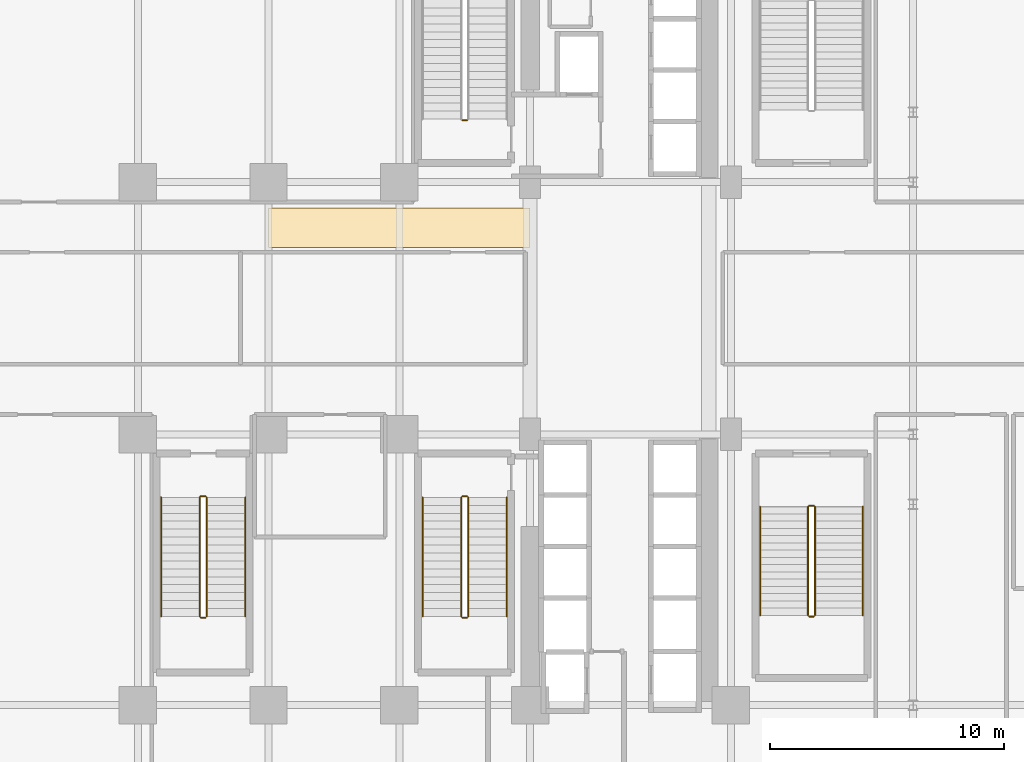
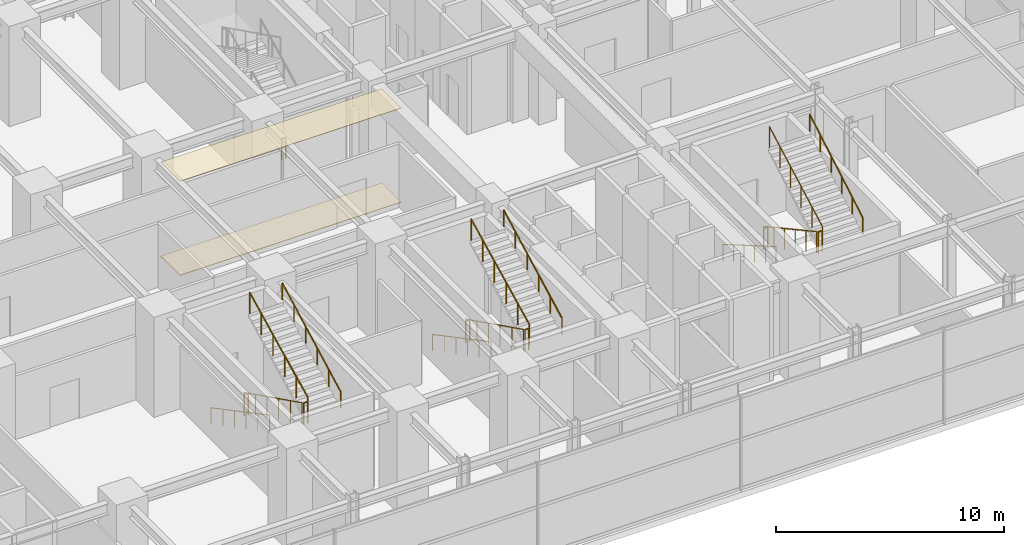
# One storey, part 31 of 32: 19 railings, 2 coverings.
"""IFC4 building model written with IfcOpenShell, lengths in metres."""

from ifc_helpers import new_model, si_unit, direction, frame, origin, origin_2d, place, context, subcontext, project, spatial, polyline, circle, outline, extrude, material, layer, layer_set, type_object, element, save


model = new_model("IFC4")

# Units and contexts
model_context = context("Model", 3, precision=1e-05, world=origin(), true_north=direction((0.0, 1.0)))
body_context = subcontext(model_context, "Body", "Model", "MODEL_VIEW")
ifc_project = project(units=[si_unit("LENGTHUNIT", "METRE"), si_unit("AREAUNIT", "SQUARE_METRE"), si_unit("VOLUMEUNIT", "CUBIC_METRE"), si_unit("PLANEANGLEUNIT", "RADIAN"), si_unit("MASSUNIT", "GRAM", prefix="KILO")], contexts=[model_context])

# Site, building, storey
site_placement = place(None, origin())
site = spatial("IfcSite", under=ifc_project, at=site_placement, CompositionType="ELEMENT")
building_placement = place(site_placement, origin())
building = spatial("IfcBuilding", under=site, at=building_placement, Name="Nahalor Promenade Grand Hotel", CompositionType="ELEMENT")
storey_placement = place(building_placement, frame((0.0, 0.0, 10.800048828125)))
storey = spatial("IfcBuildingStorey", under=building, at=storey_placement, Name="L02", CompositionType="ELEMENT", Elevation=10.800048828125)

# Coverings
ifc_material_1 = material(Name="Acoustic Mineral Gypsum", Category="gypsum")
ifc_layer_1 = layer(ifc_material_1, 0.02490234375)
ifc_layer_set_1 = layer_set([ifc_layer_1], Name="Acoustic Mineral Gypsum")
covering_type_1 = type_object("IfcCoveringType", Name="Acoustic Suspended Ceiling Tile", PredefinedType="CEILING", material=ifc_layer_set_1)
covering_1_placement = place(storey_placement, frame((0.0, 0.0, 5.034912109375)))
element("IfcCovering", 1, at=covering_1_placement, inside=storey, type_object=covering_type_1, Name="CV-CEIL-L02", PredefinedType="CEILING", context=body_context, shape_type="SweptSolid", body=[
    extrude(outline(polyline([(-2.800048828125, 2.60009765625), (8.39990234375, 2.60009765625), (8.39990234375, 4.300048828125), (-2.800048828125, 4.300048828125), (-2.800048828125, 2.60009765625)])), origin(), (0.0, 0.0, 1.0), 0.025146484375),
])
ifc_material_2 = material(Name="Jerusalem Limestone Flooring", Category="masonry")
ifc_layer_2 = layer(ifc_material_2, 0.030029296875)
ifc_layer_set_2 = layer_set([ifc_layer_2], Name="Jerusalem Limestone Flooring")
covering_type_2 = type_object("IfcCoveringType", Name="Honed Limestone Floor Finish", PredefinedType="FLOORING", material=ifc_layer_set_2)
covering_2_placement = place(storey_placement, origin())
element("IfcCovering", 2, at=covering_2_placement, inside=storey, type_object=covering_type_2, Name="CV-FLOR-L02", PredefinedType="FLOORING", context=body_context, shape_type="SweptSolid", body=[
    extrude(outline(polyline([(-2.800048828125, 2.60009765625), (8.39990234375, 2.60009765625), (8.39990234375, 4.300048828125), (-2.800048828125, 4.300048828125), (-2.800048828125, 2.60009765625)])), origin(), (0.0, 0.0, 1.0), 0.030029296875),
])

# Railings
ifc_material_3 = material(Name="Steel S355JR", Category="steel")
railing_type_1 = type_object("IfcRailingType", Name="Steel Stair Guardrail 1150 mm", PredefinedType="GUARDRAIL", material=ifc_material_3)
railing_1_placement = place(storey_placement, frame((5.699951171875, 8.050048828125, 0.0)))
element("IfcRailing", 3, at=railing_1_placement, inside=storey, type_object=railing_type_1, Name="L02 ST1 stair guard 4", PredefinedType="GUARDRAIL", context=body_context, shape_type="SweptSolid", body=[
    extrude(circle(Radius=0.024048, at=origin_2d()), frame((0.0, 0.0, 1.1259765625), z_axis=(-1.0, 0.0, 0.0), x_axis=(0.0, -1.0, 0.0)), (0.0, 0.0, 1.0), 0.199951171875),
    extrude(circle(Radius=0.020996, at=origin_2d()), origin(), (0.0, 0.0, 1.0), 1.099853515625),
    extrude(circle(Radius=0.020996, at=origin_2d()), frame((-0.199951171875, 0.0, 0.0)), (0.0, 0.0, 1.0), 1.099853515625),
])
railing_2_placement = place(storey_placement, frame((5.449951171875, -8.10009765625, 0.168701171875)))
element("IfcRailing", 4, at=railing_2_placement, inside=storey, type_object=railing_type_1, Name="L02 ST2 stair guard 1", PredefinedType="GUARDRAIL", context=body_context, shape_type="SweptSolid", body=[
    extrude(circle(Radius=0.024048, at=origin_2d()), frame((0.0, 0.0, 1.1259765625), z_axis=(0.0, -0.895735491292, 0.444587370086), x_axis=(1.0, 0.0, 0.0)), (0.0, 0.0, 1.0), 5.693603515625),
    extrude(circle(Radius=0.020996, at=origin_2d()), origin(), (0.0, 0.0, 1.0), 1.099853515625),
    extrude(circle(Radius=0.020996, at=origin_2d()), frame((0.0, -1.02001953125, 0.50634765625)), (0.0, 0.0, 1.0), 1.099853515625),
    extrude(circle(Radius=0.020996, at=origin_2d()), frame((0.0, -2.0400390625, 1.012451171875)), (0.0, 0.0, 1.0), 1.099853515625),
    extrude(circle(Radius=0.020996, at=origin_2d()), frame((0.0, -3.059814453125, 1.518798828125)), (0.0, 0.0, 1.0), 1.099853515625),
    extrude(circle(Radius=0.020996, at=origin_2d()), frame((0.0, -4.079833984375, 2.02490234375)), (0.0, 0.0, 1.0), 1.099853515625),
    extrude(circle(Radius=0.020996, at=origin_2d()), frame((0.0, -5.099853515625, 2.53125)), (0.0, 0.0, 1.0), 1.099853515625),
])
railing_3_placement = place(storey_placement, frame((5.5, -13.25, 2.699951171875)))
element("IfcRailing", 5, at=railing_3_placement, inside=storey, type_object=railing_type_1, Name="L02 ST2 stair guard 2", PredefinedType="GUARDRAIL", context=body_context, shape_type="SweptSolid", body=[
    extrude(circle(Radius=0.024048, at=origin_2d()), frame((0.0, 0.0, 1.1259765625), z_axis=(1.0, 0.0, 0.0), x_axis=(0.0, 1.0, 0.0)), (0.0, 0.0, 1.0), 0.199951171875),
    extrude(circle(Radius=0.020996, at=origin_2d()), origin(), (0.0, 0.0, 1.0), 1.099853515625),
    extrude(circle(Radius=0.020996, at=origin_2d()), frame((0.199951171875, 0.0, 0.0)), (0.0, 0.0, 1.0), 1.099853515625),
])
railing_4_placement = place(storey_placement, frame((5.75, -13.199951171875, 2.86865234375)))
element("IfcRailing", 6, at=railing_4_placement, inside=storey, type_object=railing_type_1, Name="L02 ST2 stair guard 3", PredefinedType="GUARDRAIL", context=body_context, shape_type="SweptSolid", body=[
    extrude(circle(Radius=0.024048, at=origin_2d()), frame((0.0, 0.0, 1.1259765625), z_axis=(0.0, 0.895735491292, 0.444587370086), x_axis=(-1.0, 0.0, 0.0)), (0.0, 0.0, 1.0), 5.693603515625),
    extrude(circle(Radius=0.020996, at=origin_2d()), origin(), (0.0, 0.0, 1.0), 1.099853515625),
    extrude(circle(Radius=0.020996, at=origin_2d()), frame((0.0, 1.02001953125, 0.50634765625)), (0.0, 0.0, 1.0), 1.099853515625),
    extrude(circle(Radius=0.020996, at=origin_2d()), frame((0.0, 2.0400390625, 1.012451171875)), (0.0, 0.0, 1.0), 1.099853515625),
    extrude(circle(Radius=0.020996, at=origin_2d()), frame((0.0, 3.059814453125, 1.518798828125)), (0.0, 0.0, 1.0), 1.099853515625),
    extrude(circle(Radius=0.020996, at=origin_2d()), frame((0.0, 4.079833984375, 2.02490234375)), (0.0, 0.0, 1.0), 1.099853515625),
    extrude(circle(Radius=0.020996, at=origin_2d()), frame((0.0, 5.099853515625, 2.53125)), (0.0, 0.0, 1.0), 1.099853515625),
])
railing_5_placement = place(storey_placement, frame((5.5, -8.050048828125, 0.0)))
element("IfcRailing", 7, at=railing_5_placement, inside=storey, type_object=railing_type_1, Name="L02 ST2 stair guard 4", PredefinedType="GUARDRAIL", context=body_context, shape_type="SweptSolid", body=[
    extrude(circle(Radius=0.024048, at=origin_2d()), frame((0.0, 0.0, 1.1259765625), z_axis=(1.0, 0.0, 0.0), x_axis=(0.0, 1.0, 0.0)), (0.0, 0.0, 1.0), 0.199951171875),
    extrude(circle(Radius=0.020996, at=origin_2d()), origin(), (0.0, 0.0, 1.0), 1.099853515625),
    extrude(circle(Radius=0.020996, at=origin_2d()), frame((0.199951171875, 0.0, 0.0)), (0.0, 0.0, 1.0), 1.099853515625),
])
railing_6_placement = place(storey_placement, frame((-5.75, -8.10009765625, 0.168701171875)))
element("IfcRailing", 8, at=railing_6_placement, inside=storey, type_object=railing_type_1, Name="L02 ST3 stair guard 1", PredefinedType="GUARDRAIL", context=body_context, shape_type="SweptSolid", body=[
    extrude(circle(Radius=0.024048, at=origin_2d()), frame((0.0, 0.0, 1.1259765625), z_axis=(0.0, -0.895735491292, 0.444587370086), x_axis=(1.0, 0.0, 0.0)), (0.0, 0.0, 1.0), 5.693603515625),
    extrude(circle(Radius=0.020996, at=origin_2d()), origin(), (0.0, 0.0, 1.0), 1.099853515625),
    extrude(circle(Radius=0.020996, at=origin_2d()), frame((0.0, -1.02001953125, 0.50634765625)), (0.0, 0.0, 1.0), 1.099853515625),
    extrude(circle(Radius=0.020996, at=origin_2d()), frame((0.0, -2.0400390625, 1.012451171875)), (0.0, 0.0, 1.0), 1.099853515625),
    extrude(circle(Radius=0.020996, at=origin_2d()), frame((0.0, -3.059814453125, 1.518798828125)), (0.0, 0.0, 1.0), 1.099853515625),
    extrude(circle(Radius=0.020996, at=origin_2d()), frame((0.0, -4.079833984375, 2.02490234375)), (0.0, 0.0, 1.0), 1.099853515625),
    extrude(circle(Radius=0.020996, at=origin_2d()), frame((0.0, -5.099853515625, 2.53125)), (0.0, 0.0, 1.0), 1.099853515625),
])
railing_7_placement = place(storey_placement, frame((-5.699951171875, -13.25, 2.699951171875)))
element("IfcRailing", 9, at=railing_7_placement, inside=storey, type_object=railing_type_1, Name="L02 ST3 stair guard 2", PredefinedType="GUARDRAIL", context=body_context, shape_type="SweptSolid", body=[
    extrude(circle(Radius=0.024048, at=origin_2d()), frame((0.0, 0.0, 1.1259765625), z_axis=(1.0, 0.0, 0.0), x_axis=(0.0, 1.0, 0.0)), (0.0, 0.0, 1.0), 0.199951171875),
    extrude(circle(Radius=0.020996, at=origin_2d()), origin(), (0.0, 0.0, 1.0), 1.099853515625),
    extrude(circle(Radius=0.020996, at=origin_2d()), frame((0.199951171875, 0.0, 0.0)), (0.0, 0.0, 1.0), 1.099853515625),
])
railing_8_placement = place(storey_placement, frame((-5.449951171875, -13.199951171875, 2.86865234375)))
element("IfcRailing", 10, at=railing_8_placement, inside=storey, type_object=railing_type_1, Name="L02 ST3 stair guard 3", PredefinedType="GUARDRAIL", context=body_context, shape_type="SweptSolid", body=[
    extrude(circle(Radius=0.024048, at=origin_2d()), frame((0.0, 0.0, 1.1259765625), z_axis=(0.0, 0.895735491292, 0.444587370086), x_axis=(-1.0, 0.0, 0.0)), (0.0, 0.0, 1.0), 5.693603515625),
    extrude(circle(Radius=0.020996, at=origin_2d()), origin(), (0.0, 0.0, 1.0), 1.099853515625),
    extrude(circle(Radius=0.020996, at=origin_2d()), frame((0.0, 1.02001953125, 0.50634765625)), (0.0, 0.0, 1.0), 1.099853515625),
    extrude(circle(Radius=0.020996, at=origin_2d()), frame((0.0, 2.0400390625, 1.012451171875)), (0.0, 0.0, 1.0), 1.099853515625),
    extrude(circle(Radius=0.020996, at=origin_2d()), frame((0.0, 3.059814453125, 1.518798828125)), (0.0, 0.0, 1.0), 1.099853515625),
    extrude(circle(Radius=0.020996, at=origin_2d()), frame((0.0, 4.079833984375, 2.02490234375)), (0.0, 0.0, 1.0), 1.099853515625),
    extrude(circle(Radius=0.020996, at=origin_2d()), frame((0.0, 5.099853515625, 2.53125)), (0.0, 0.0, 1.0), 1.099853515625),
])
railing_9_placement = place(storey_placement, frame((-5.699951171875, -8.050048828125, 0.0)))
element("IfcRailing", 11, at=railing_9_placement, inside=storey, type_object=railing_type_1, Name="L02 ST3 stair guard 4", PredefinedType="GUARDRAIL", context=body_context, shape_type="SweptSolid", body=[
    extrude(circle(Radius=0.024048, at=origin_2d()), frame((0.0, 0.0, 1.1259765625), z_axis=(1.0, 0.0, 0.0), x_axis=(0.0, 1.0, 0.0)), (0.0, 0.0, 1.0), 0.199951171875),
    extrude(circle(Radius=0.020996, at=origin_2d()), origin(), (0.0, 0.0, 1.0), 1.099853515625),
    extrude(circle(Radius=0.020996, at=origin_2d()), frame((0.199951171875, 0.0, 0.0)), (0.0, 0.0, 1.0), 1.099853515625),
])
railing_10_placement = place(storey_placement, frame((20.300048828125, -8.5, 0.168701171875)))
element("IfcRailing", 12, at=railing_10_placement, inside=storey, type_object=railing_type_1, Name="L02 ST5 stair guard 1", PredefinedType="GUARDRAIL", context=body_context, shape_type="SweptSolid", body=[
    extrude(circle(Radius=0.024048, at=origin_2d()), frame((0.0, 0.0, 1.1259765625), z_axis=(0.0, -0.878297076953, 0.478115304728), x_axis=(1.0, 0.0, 0.0)), (0.0, 0.0, 1.0), 5.294189453125),
    extrude(circle(Radius=0.020996, at=origin_2d()), origin(), (0.0, 0.0, 1.0), 1.099853515625),
    extrude(circle(Radius=0.020996, at=origin_2d()), frame((0.0, -0.929931640625, 0.50634765625)), (0.0, 0.0, 1.0), 1.099853515625),
    extrude(circle(Radius=0.020996, at=origin_2d()), frame((0.0, -1.85986328125, 1.012451171875)), (0.0, 0.0, 1.0), 1.099853515625),
    extrude(circle(Radius=0.020996, at=origin_2d()), frame((0.0, -2.7900390625, 1.518798828125)), (0.0, 0.0, 1.0), 1.099853515625),
    extrude(circle(Radius=0.020996, at=origin_2d()), frame((0.0, -3.719970703125, 2.02490234375)), (0.0, 0.0, 1.0), 1.099853515625),
    extrude(circle(Radius=0.020996, at=origin_2d()), frame((0.0, -4.64990234375, 2.53125)), (0.0, 0.0, 1.0), 1.099853515625),
])
railing_11_placement = place(storey_placement, frame((20.35009765625, -13.199951171875, 2.699951171875)))
element("IfcRailing", 13, at=railing_11_placement, inside=storey, type_object=railing_type_1, Name="L02 ST5 stair guard 2", PredefinedType="GUARDRAIL", context=body_context, shape_type="SweptSolid", body=[
    extrude(circle(Radius=0.024048, at=origin_2d()), frame((0.0, 0.0, 1.1259765625), z_axis=(1.0, 0.0, 0.0), x_axis=(0.0, 1.0, 0.0)), (0.0, 0.0, 1.0), 0.199951171875),
    extrude(circle(Radius=0.020996, at=origin_2d()), origin(), (0.0, 0.0, 1.0), 1.099853515625),
    extrude(circle(Radius=0.020996, at=origin_2d()), frame((0.199951171875, 0.0, 0.0)), (0.0, 0.0, 1.0), 1.099853515625),
])
railing_12_placement = place(storey_placement, frame((20.60009765625, -13.14990234375, 2.86865234375)))
element("IfcRailing", 14, at=railing_12_placement, inside=storey, type_object=railing_type_1, Name="L02 ST5 stair guard 3", PredefinedType="GUARDRAIL", context=body_context, shape_type="SweptSolid", body=[
    extrude(circle(Radius=0.024048, at=origin_2d()), frame((0.0, 0.0, 1.1259765625), z_axis=(0.0, 0.878297076953, 0.478115304728), x_axis=(-1.0, 0.0, 0.0)), (0.0, 0.0, 1.0), 5.294189453125),
    extrude(circle(Radius=0.020996, at=origin_2d()), origin(), (0.0, 0.0, 1.0), 1.099853515625),
    extrude(circle(Radius=0.020996, at=origin_2d()), frame((0.0, 0.929931640625, 0.50634765625)), (0.0, 0.0, 1.0), 1.099853515625),
    extrude(circle(Radius=0.020996, at=origin_2d()), frame((0.0, 1.85986328125, 1.012451171875)), (0.0, 0.0, 1.0), 1.099853515625),
    extrude(circle(Radius=0.020996, at=origin_2d()), frame((0.0, 2.7900390625, 1.518798828125)), (0.0, 0.0, 1.0), 1.099853515625),
    extrude(circle(Radius=0.020996, at=origin_2d()), frame((0.0, 3.719970703125, 2.02490234375)), (0.0, 0.0, 1.0), 1.099853515625),
    extrude(circle(Radius=0.020996, at=origin_2d()), frame((0.0, 4.64990234375, 2.53125)), (0.0, 0.0, 1.0), 1.099853515625),
])
railing_13_placement = place(storey_placement, frame((20.35009765625, -8.449951171875, 0.0)))
element("IfcRailing", 15, at=railing_13_placement, inside=storey, type_object=railing_type_1, Name="L02 ST5 stair guard 4", PredefinedType="GUARDRAIL", context=body_context, shape_type="SweptSolid", body=[
    extrude(circle(Radius=0.024048, at=origin_2d()), frame((0.0, 0.0, 1.1259765625), z_axis=(1.0, 0.0, 0.0), x_axis=(0.0, 1.0, 0.0)), (0.0, 0.0, 1.0), 0.199951171875),
    extrude(circle(Radius=0.020996, at=origin_2d()), origin(), (0.0, 0.0, 1.0), 1.099853515625),
    extrude(circle(Radius=0.020996, at=origin_2d()), frame((0.199951171875, 0.0, 0.0)), (0.0, 0.0, 1.0), 1.099853515625),
])
railing_type_2 = type_object("IfcRailingType", Name="Steel Stair Handrail 900 mm", PredefinedType="HANDRAIL", material=ifc_material_3)
railing_14_placement = place(storey_placement, frame((3.800048828125, -8.10009765625, 0.168701171875)))
element("IfcRailing", 16, at=railing_14_placement, inside=storey, type_object=railing_type_2, Name="L02 ST2 stair handrail 1", PredefinedType="HANDRAIL", context=body_context, shape_type="SweptSolid", body=[
    extrude(circle(Radius=0.024048, at=origin_2d()), frame((0.0, 0.0, 0.8759765625), z_axis=(0.0, -0.883785858079, 0.467891608238), x_axis=(1.0, 0.0, 0.0)), (0.0, 0.0, 1.0), 5.7705078125),
    extrude(circle(Radius=0.020996, at=origin_2d()), origin(), (0.0, 0.0, 1.0), 0.849853515625),
    extrude(circle(Radius=0.020996, at=origin_2d()), frame((0.0, -1.02001953125, 0.5400390625)), (0.0, 0.0, 1.0), 0.849853515625),
    extrude(circle(Radius=0.020996, at=origin_2d()), frame((0.0, -2.0400390625, 1.080078125)), (0.0, 0.0, 1.0), 0.849853515625),
    extrude(circle(Radius=0.020996, at=origin_2d()), frame((0.0, -3.059814453125, 1.619873046875)), (0.0, 0.0, 1.0), 0.849853515625),
    extrude(circle(Radius=0.020996, at=origin_2d()), frame((0.0, -4.079833984375, 2.159912109375)), (0.0, 0.0, 1.0), 0.849853515625),
    extrude(circle(Radius=0.020996, at=origin_2d()), frame((0.0, -5.099853515625, 2.699951171875)), (0.0, 0.0, 1.0), 0.849853515625),
])
railing_15_placement = place(storey_placement, frame((7.39990234375, -13.199951171875, 2.86865234375)))
element("IfcRailing", 17, at=railing_15_placement, inside=storey, type_object=railing_type_2, Name="L02 ST2 stair handrail 2", PredefinedType="HANDRAIL", context=body_context, shape_type="SweptSolid", body=[
    extrude(circle(Radius=0.024048, at=origin_2d()), frame((0.0, 0.0, 0.8759765625), z_axis=(0.0, 0.883785858079, 0.467891608238), x_axis=(-1.0, 0.0, 0.0)), (0.0, 0.0, 1.0), 5.7705078125),
    extrude(circle(Radius=0.020996, at=origin_2d()), origin(), (0.0, 0.0, 1.0), 0.849853515625),
    extrude(circle(Radius=0.020996, at=origin_2d()), frame((0.0, 1.02001953125, 0.5400390625)), (0.0, 0.0, 1.0), 0.849853515625),
    extrude(circle(Radius=0.020996, at=origin_2d()), frame((0.0, 2.0400390625, 1.080078125)), (0.0, 0.0, 1.0), 0.849853515625),
    extrude(circle(Radius=0.020996, at=origin_2d()), frame((0.0, 3.059814453125, 1.619873046875)), (0.0, 0.0, 1.0), 0.849853515625),
    extrude(circle(Radius=0.020996, at=origin_2d()), frame((0.0, 4.079833984375, 2.159912109375)), (0.0, 0.0, 1.0), 0.849853515625),
    extrude(circle(Radius=0.020996, at=origin_2d()), frame((0.0, 5.099853515625, 2.699951171875)), (0.0, 0.0, 1.0), 0.849853515625),
])
railing_16_placement = place(storey_placement, frame((-7.39990234375, -8.10009765625, 0.168701171875)))
element("IfcRailing", 18, at=railing_16_placement, inside=storey, type_object=railing_type_2, Name="L02 ST3 stair handrail 1", PredefinedType="HANDRAIL", context=body_context, shape_type="SweptSolid", body=[
    extrude(circle(Radius=0.024048, at=origin_2d()), frame((0.0, 0.0, 0.8759765625), z_axis=(0.0, -0.883785858079, 0.467891608238), x_axis=(1.0, 0.0, 0.0)), (0.0, 0.0, 1.0), 5.7705078125),
    extrude(circle(Radius=0.020996, at=origin_2d()), origin(), (0.0, 0.0, 1.0), 0.849853515625),
    extrude(circle(Radius=0.020996, at=origin_2d()), frame((0.0, -1.02001953125, 0.5400390625)), (0.0, 0.0, 1.0), 0.849853515625),
    extrude(circle(Radius=0.020996, at=origin_2d()), frame((0.0, -2.0400390625, 1.080078125)), (0.0, 0.0, 1.0), 0.849853515625),
    extrude(circle(Radius=0.020996, at=origin_2d()), frame((0.0, -3.059814453125, 1.619873046875)), (0.0, 0.0, 1.0), 0.849853515625),
    extrude(circle(Radius=0.020996, at=origin_2d()), frame((0.0, -4.079833984375, 2.159912109375)), (0.0, 0.0, 1.0), 0.849853515625),
    extrude(circle(Radius=0.020996, at=origin_2d()), frame((0.0, -5.099853515625, 2.699951171875)), (0.0, 0.0, 1.0), 0.849853515625),
])
railing_17_placement = place(storey_placement, frame((-3.800048828125, -13.199951171875, 2.86865234375)))
element("IfcRailing", 19, at=railing_17_placement, inside=storey, type_object=railing_type_2, Name="L02 ST3 stair handrail 2", PredefinedType="HANDRAIL", context=body_context, shape_type="SweptSolid", body=[
    extrude(circle(Radius=0.024048, at=origin_2d()), frame((0.0, 0.0, 0.8759765625), z_axis=(0.0, 0.883785858079, 0.467891608238), x_axis=(-1.0, 0.0, 0.0)), (0.0, 0.0, 1.0), 5.7705078125),
    extrude(circle(Radius=0.020996, at=origin_2d()), origin(), (0.0, 0.0, 1.0), 0.849853515625),
    extrude(circle(Radius=0.020996, at=origin_2d()), frame((0.0, 1.02001953125, 0.5400390625)), (0.0, 0.0, 1.0), 0.849853515625),
    extrude(circle(Radius=0.020996, at=origin_2d()), frame((0.0, 2.0400390625, 1.080078125)), (0.0, 0.0, 1.0), 0.849853515625),
    extrude(circle(Radius=0.020996, at=origin_2d()), frame((0.0, 3.059814453125, 1.619873046875)), (0.0, 0.0, 1.0), 0.849853515625),
    extrude(circle(Radius=0.020996, at=origin_2d()), frame((0.0, 4.079833984375, 2.159912109375)), (0.0, 0.0, 1.0), 0.849853515625),
    extrude(circle(Radius=0.020996, at=origin_2d()), frame((0.0, 5.099853515625, 2.699951171875)), (0.0, 0.0, 1.0), 0.849853515625),
])
railing_18_placement = place(storey_placement, frame((18.25, -8.5, 0.168701171875)))
element("IfcRailing", 20, at=railing_18_placement, inside=storey, type_object=railing_type_2, Name="L02 ST5 stair handrail 1", PredefinedType="HANDRAIL", context=body_context, shape_type="SweptSolid", body=[
    extrude(circle(Radius=0.024048, at=origin_2d()), frame((0.0, 0.0, 0.8759765625), z_axis=(0.0, -0.864788310583, 0.502136612766), x_axis=(1.0, 0.0, 0.0)), (0.0, 0.0, 1.0), 5.376953125),
    extrude(circle(Radius=0.020996, at=origin_2d()), origin(), (0.0, 0.0, 1.0), 0.849853515625),
    extrude(circle(Radius=0.020996, at=origin_2d()), frame((0.0, -0.929931640625, 0.5400390625)), (0.0, 0.0, 1.0), 0.849853515625),
    extrude(circle(Radius=0.020996, at=origin_2d()), frame((0.0, -1.85986328125, 1.080078125)), (0.0, 0.0, 1.0), 0.849853515625),
    extrude(circle(Radius=0.020996, at=origin_2d()), frame((0.0, -2.7900390625, 1.619873046875)), (0.0, 0.0, 1.0), 0.849853515625),
    extrude(circle(Radius=0.020996, at=origin_2d()), frame((0.0, -3.719970703125, 2.159912109375)), (0.0, 0.0, 1.0), 0.849853515625),
    extrude(circle(Radius=0.020996, at=origin_2d()), frame((0.0, -4.64990234375, 2.699951171875)), (0.0, 0.0, 1.0), 0.849853515625),
])
railing_19_placement = place(storey_placement, frame((22.64990234375, -13.14990234375, 2.86865234375)))
element("IfcRailing", 21, at=railing_19_placement, inside=storey, type_object=railing_type_2, Name="L02 ST5 stair handrail 2", PredefinedType="HANDRAIL", context=body_context, shape_type="SweptSolid", body=[
    extrude(circle(Radius=0.024048, at=origin_2d()), frame((0.0, 0.0, 0.8759765625), z_axis=(0.0, 0.864788310583, 0.502136612766), x_axis=(-1.0, 0.0, 0.0)), (0.0, 0.0, 1.0), 5.376953125),
    extrude(circle(Radius=0.020996, at=origin_2d()), origin(), (0.0, 0.0, 1.0), 0.849853515625),
    extrude(circle(Radius=0.020996, at=origin_2d()), frame((0.0, 0.929931640625, 0.5400390625)), (0.0, 0.0, 1.0), 0.849853515625),
    extrude(circle(Radius=0.020996, at=origin_2d()), frame((0.0, 1.85986328125, 1.080078125)), (0.0, 0.0, 1.0), 0.849853515625),
    extrude(circle(Radius=0.020996, at=origin_2d()), frame((0.0, 2.7900390625, 1.619873046875)), (0.0, 0.0, 1.0), 0.849853515625),
    extrude(circle(Radius=0.020996, at=origin_2d()), frame((0.0, 3.719970703125, 2.159912109375)), (0.0, 0.0, 1.0), 0.849853515625),
    extrude(circle(Radius=0.020996, at=origin_2d()), frame((0.0, 4.64990234375, 2.699951171875)), (0.0, 0.0, 1.0), 0.849853515625),
])

save(model, "model.ifc")
